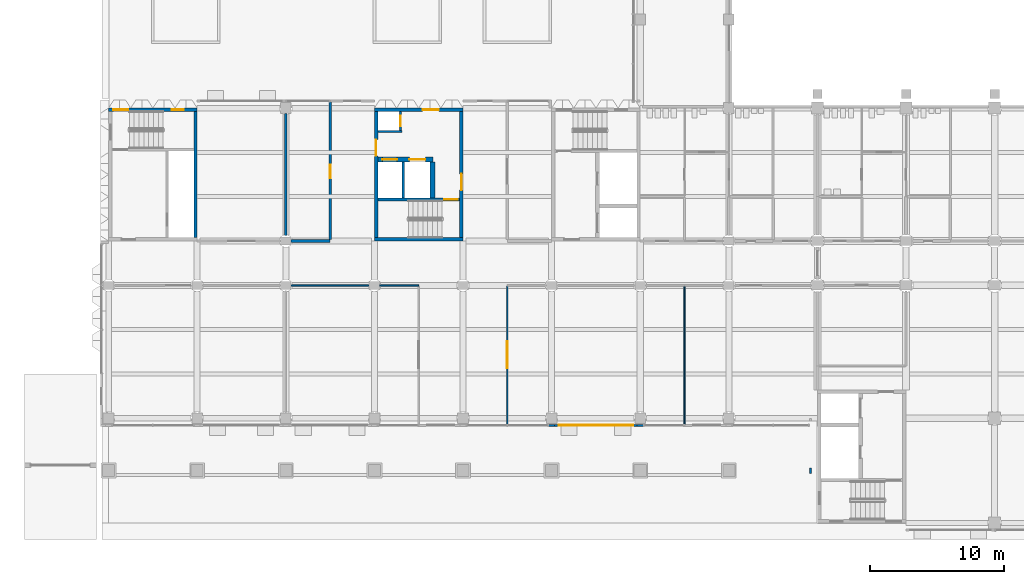
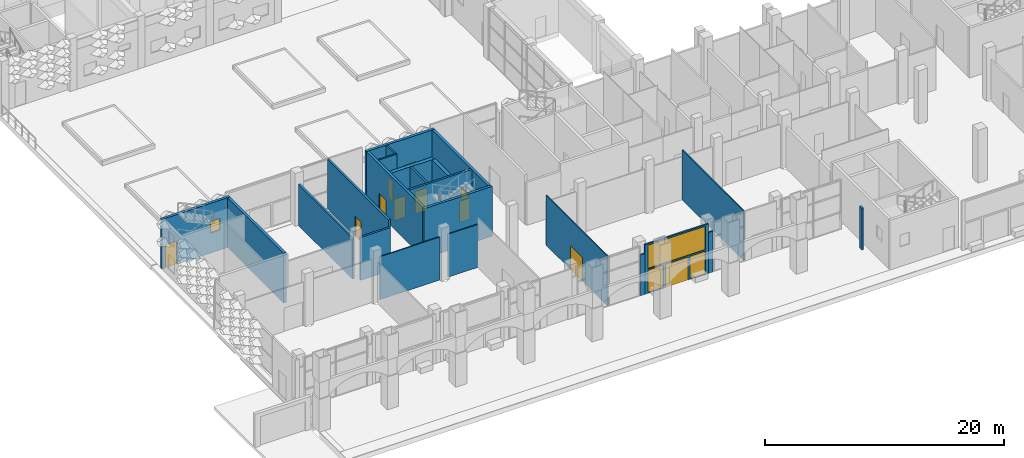
# One storey, part 27 of 85: 23 walls, 11 doors, 4 windows, 15 openings.
"""IFC4 building model written with IfcOpenShell, lengths in metres."""

from ifc_helpers import new_model, si_unit, direction, frame, frame_2d, origin, place, context, subcontext, project, spatial, rectangle, extrude, material, layer, layer_set, type_object, element, fill, save


model = new_model("IFC4")

# Units and contexts
model_context = context("Model", 3, precision=1e-05, world=origin(), true_north=direction((0.0, 1.0)))
body_context = subcontext(model_context, "Body", "Model", "MODEL_VIEW")
ifc_project = project(units=[si_unit("LENGTHUNIT", "METRE"), si_unit("AREAUNIT", "SQUARE_METRE"), si_unit("VOLUMEUNIT", "CUBIC_METRE"), si_unit("PLANEANGLEUNIT", "RADIAN"), si_unit("MASSUNIT", "GRAM", prefix="KILO")], contexts=[model_context])

# Site, building, storey
site_placement = place(None, origin())
site = spatial("IfcSite", under=ifc_project, at=site_placement, CompositionType="ELEMENT")
building_placement = place(site_placement, origin())
building = spatial("IfcBuilding", under=site, at=building_placement, Name="Lantern Court Research Institute", CompositionType="ELEMENT")
storey_placement = place(building_placement, origin())
storey = spatial("IfcBuildingStorey", under=building, at=storey_placement, Name="L00", CompositionType="ELEMENT", Elevation=0.0)

# Walls
ifc_material_1 = material(Name="Fire-rated gypsum board partition, mineral wool filled")
ifc_layer_1 = layer(ifc_material_1, 0.199951171875)
ifc_layer_set_1 = layer_set([ifc_layer_1], Name="Fire-rated gypsum board partition, mineral wool filled")
wall_type_1 = type_object("IfcWallType", Name="Compartment wall 200 EI 120", PredefinedType="PARTITIONING", material=ifc_layer_set_1)
wall_1_placement = place(storey_placement, frame((16.5, 13.199951171875, 0.0), z_axis=(0.0, 0.0, 1.0), x_axis=(-1.0, 0.0, 0.0)))
element("IfcWall", 1, at=wall_1_placement, inside=storey, type_object=wall_type_1, Name="Compartment wall 200 EI 120", PredefinedType="PARTITIONING", context=body_context, shape_type="SweptSolid", body=[
    extrude(rectangle(XDim=2.89990234375, YDim=0.199951171875, at=frame_2d((1.449951171875, 0.0))), origin(), (0.0, 0.0, 1.0), 4.39990234375),
])
wall_2_placement = place(storey_placement, frame((13.199951171875, 13.60009765625, 0.0), z_axis=(0.0, 0.0, 1.0), x_axis=(0.0, 1.0, 0.0)))
element("IfcWall", 2, at=wall_2_placement, inside=storey, type_object=wall_type_1, Name="Compartment wall 200 EI 120", PredefinedType="PARTITIONING", context=body_context, shape_type="SweptSolid", body=[
    extrude(rectangle(XDim=9.099853515625, YDim=0.199951171875, at=frame_2d((4.5498046875, 0.0))), origin(), (0.0, 0.0, 1.0), 4.199951171875),
])

# Wall, opening, door
wall_3_placement = place(storey_placement, frame((16.5, 23.550048828125, 0.0), z_axis=(0.0, 0.0, 1.0), x_axis=(0.0, -1.0, 0.0)))
wall_3 = element("IfcWall", 3, at=wall_3_placement, inside=storey, type_object=wall_type_1, Name="Compartment wall 200 EI 120", PredefinedType="PARTITIONING", context=body_context, shape_type="SweptSolid", body=[
    extrude(rectangle(XDim=10.25, YDim=0.199951171875, at=frame_2d((5.125, 0.0))), origin(), (0.0, 0.0, 1.0), 5.10009765625),
])
opening_1_placement = place(wall_3_placement, frame((4.675048828125, 0.0, 0.0)))
opening_1 = element("IfcOpeningElement", 4, at=opening_1_placement, cuts=wall_3, Name="Opening D4003", PredefinedType="OPENING", context=body_context, shape_type="SweptSolid", body=[
    extrude(rectangle(XDim=1.0, YDim=2.10009765625, at=frame_2d((0.5, 1.050048828125))), frame((0.0, 0.10986328125, 0.0), z_axis=(0.0, -1.0, 0.0), x_axis=(1.0, 0.0, 0.0)), (0.0, 0.0, 1.0), 0.219970703125),
])
ifc_material_2 = material(Name="Solid-core timber door leaf", Category="wood")
ifc_layer_2 = layer(ifc_material_2, 0.06005859375)
ifc_layer_set_2 = layer_set([ifc_layer_2], Name="Solid-core timber door leaf")
door_type_1 = type_object("IfcDoorType", Name="Chemical store door 1000 x 2100 single FD60", OperationType="NOTDEFINED", PredefinedType="DOOR", material=ifc_layer_set_2)
door_1_placement = place(opening_1_placement, origin())
door_1 = element("IfcDoor", 5, at=door_1_placement, inside=storey, type_object=door_type_1, Name="Door D4003", OperationType="SINGLE_SWING_RIGHT", OverallHeight=2.10009765625, OverallWidth=1.0, PredefinedType="DOOR", context=body_context, shape_type="SweptSolid", body=[
    extrude(rectangle(XDim=1.0, YDim=2.10009765625, at=frame_2d((0.5, 1.050048828125))), frame((0.0, 0.030029296875, 0.0), z_axis=(0.0, -1.0, 0.0), x_axis=(1.0, 0.0, 0.0)), (0.0, 0.0, 1.0), 0.06005859375),
])
fill(opening_1, door_1)

# Wall, openings, windows, door
ifc_material_3 = material(Name="Aluminium alloy 6063-T6", Category="aluminium")
ifc_layer_3 = layer(ifc_material_3, 0.14990234375)
ifc_layer_set_3 = layer_set([ifc_layer_3], Name="Aluminium alloy 6063-T6")
wall_type_2 = type_object("IfcWallType", Name="Entrance screen wall 150 aluminium", PredefinedType="STANDARD", material=ifc_layer_set_3)
wall_4_placement = place(storey_placement, frame((39.375, -0.52490234375, 0.0), z_axis=(0.0, 0.0, 1.0), x_axis=(-1.0, 0.0, 0.0)))
wall_4 = element("IfcWall", 6, at=wall_4_placement, inside=storey, type_object=wall_type_2, Name="Exterior wall EW034", PredefinedType="STANDARD", context=body_context, shape_type="SweptSolid", body=[
    extrude(rectangle(XDim=6.14990234375, YDim=0.14990234375, at=frame_2d((3.074951171875, 0.0))), origin(), (0.0, 0.0, 1.0), 5.10009765625),
])
opening_2_placement = place(wall_4_placement, frame((1.97509765625, 0.0, 0.0)))
opening_2 = element("IfcOpeningElement", 7, at=opening_2_placement, cuts=wall_4, Name="Opening D4087", PredefinedType="OPENING", context=body_context, shape_type="SweptSolid", body=[
    extrude(rectangle(XDim=2.199951171875, YDim=2.39990234375, at=frame_2d((1.10009765625, 1.199951171875))), frame((0.0, 0.0849609375, 0.0), z_axis=(0.0, -1.0, 0.0), x_axis=(1.0, 0.0, 0.0)), (0.0, 0.0, 1.0), 0.169921875),
])
opening_3_placement = place(wall_4_placement, frame((4.375, 0.0, 0.10009765625)))
opening_3 = element("IfcOpeningElement", 8, at=opening_3_placement, cuts=wall_4, Name="Opening W10", PredefinedType="OPENING", context=body_context, shape_type="SweptSolid", body=[
    extrude(rectangle(XDim=1.47509765625, YDim=2.300048828125, at=frame_2d((0.737548828125, 1.14990234375))), frame((0.0, 0.0849609375, 0.0), z_axis=(0.0, -1.0, 0.0), x_axis=(1.0, 0.0, 0.0)), (0.0, 0.0, 1.0), 0.169921875),
])
opening_4_placement = place(wall_4_placement, frame((0.300048828125, 0.0, 0.10009765625)))
opening_4 = element("IfcOpeningElement", 9, at=opening_4_placement, cuts=wall_4, Name="Opening W10", PredefinedType="OPENING", context=body_context, shape_type="SweptSolid", body=[
    extrude(rectangle(XDim=1.47509765625, YDim=2.300048828125, at=frame_2d((0.737548828125, 1.14990234375))), frame((0.0, 0.0849609375, 0.0), z_axis=(0.0, -1.0, 0.0), x_axis=(1.0, 0.0, 0.0)), (0.0, 0.0, 1.0), 0.169921875),
])
opening_5_placement = place(wall_4_placement, frame((0.300048828125, 0.0, 2.550048828125)))
opening_5 = element("IfcOpeningElement", 10, at=opening_5_placement, cuts=wall_4, Name="Opening W09", PredefinedType="OPENING", context=body_context, shape_type="SweptSolid", body=[
    extrude(rectangle(XDim=5.550048828125, YDim=2.39990234375, at=frame_2d((2.77490234375, 1.199951171875))), frame((0.0, 0.0849609375, 0.0), z_axis=(0.0, -1.0, 0.0), x_axis=(1.0, 0.0, 0.0)), (0.0, 0.0, 1.0), 0.169921875),
])
ifc_material_4 = material(Name="Aluminium frame with laminated low-emissivity glazing", Category="aluminium")
window_type_1 = type_object("IfcWindowType", Name="Entrance clerestory 5550 x 2400", PartitioningType="SINGLE_PANEL", PredefinedType="WINDOW", material=ifc_material_4)
window_1_placement = place(opening_5_placement, origin())
window_1 = element("IfcWindow", 11, at=window_1_placement, inside=storey, type_object=window_type_1, Name="Window W09 V4S L00", OverallHeight=2.39990234375, OverallWidth=5.550048828125, PartitioningType="SINGLE_PANEL", PredefinedType="WINDOW", context=body_context, shape_type="SweptSolid", body=[
    extrude(rectangle(XDim=5.550048828125, YDim=2.39990234375, at=frame_2d((2.77490234375, 1.199951171875))), frame((0.0, 0.030029296875, 0.0), z_axis=(0.0, -1.0, 0.0), x_axis=(1.0, 0.0, 0.0)), (0.0, 0.0, 1.0), 0.06005859375),
])
fill(opening_5, window_1)
ifc_material_5 = material(Name="Aluminium frame with laminated glass", Category="aluminium")
door_type_2 = type_object("IfcDoorType", Name="Entrance door pair 2200 x 2400 aluminium glazed", OperationType="NOTDEFINED", PredefinedType="DOOR", material=ifc_material_5)
door_2_placement = place(opening_2_placement, origin())
door_2 = element("IfcDoor", 12, at=door_2_placement, inside=storey, type_object=door_type_2, Name="Exterior door D4087", OperationType="DOUBLE_DOOR_SINGLE_SWING", OverallHeight=2.39990234375, OverallWidth=2.199951171875, PredefinedType="DOOR", context=body_context, shape_type="SweptSolid", body=[
    extrude(rectangle(XDim=2.199951171875, YDim=2.39990234375, at=frame_2d((1.10009765625, 1.199951171875))), frame((0.0, 0.02490234375, 0.0), z_axis=(0.0, -1.0, 0.0), x_axis=(1.0, 0.0, 0.0)), (0.0, 0.0, 1.0), 0.050048828125),
])
fill(opening_2, door_2)
ifc_material_6 = material(Name="Aluminium frame with laminated low-emissivity glazing", Category="aluminium")
window_type_2 = type_object("IfcWindowType", Name="Entrance sidelight 1475 x 2300", PartitioningType="SINGLE_PANEL", PredefinedType="WINDOW", material=ifc_material_6)
window_2_placement = place(opening_3_placement, origin())
window_2 = element("IfcWindow", 13, at=window_2_placement, inside=storey, type_object=window_type_2, Name="Window W10 V4S L00", OverallHeight=2.300048828125, OverallWidth=1.47509765625, PartitioningType="SINGLE_PANEL", PredefinedType="WINDOW", context=body_context, shape_type="SweptSolid", body=[
    extrude(rectangle(XDim=1.47509765625, YDim=2.300048828125, at=frame_2d((0.737548828125, 1.14990234375))), frame((0.0, 0.030029296875, 0.0), z_axis=(0.0, -1.0, 0.0), x_axis=(1.0, 0.0, 0.0)), (0.0, 0.0, 1.0), 0.06005859375),
])
fill(opening_3, window_2)
window_3_placement = place(opening_4_placement, origin())
window_3 = element("IfcWindow", 14, at=window_3_placement, inside=storey, type_object=window_type_2, Name="Window W10 V4S L00", OverallHeight=2.300048828125, OverallWidth=1.47509765625, PartitioningType="SINGLE_PANEL", PredefinedType="WINDOW", context=body_context, shape_type="SweptSolid", body=[
    extrude(rectangle(XDim=1.47509765625, YDim=2.300048828125, at=frame_2d((0.737548828125, 1.14990234375))), frame((0.0, 0.030029296875, 0.0), z_axis=(0.0, -1.0, 0.0), x_axis=(1.0, 0.0, 0.0)), (0.0, 0.0, 1.0), 0.06005859375),
])
fill(opening_4, window_3)

# Walls
wall_5_placement = place(storey_placement, frame((33.22509765625, -0.52490234375, 0.0), z_axis=(0.0, 0.0, 1.0), x_axis=(-1.0, 0.0, 0.0)))
element("IfcWall", 15, at=wall_5_placement, inside=storey, type_object=wall_type_2, Name="Exterior wall EW041", PredefinedType="STANDARD", context=body_context, shape_type="SweptSolid", body=[
    extrude(rectangle(XDim=0.4501953125, YDim=0.14990234375, at=frame_2d((0.22509765625, 0.0))), origin(), (0.0, 0.0, 1.0), 4.199951171875),
])
wall_6_placement = place(storey_placement, frame((39.824951171875, -0.52490234375, 0.0), z_axis=(0.0, 0.0, 1.0), x_axis=(-1.0, 0.0, 0.0)))
element("IfcWall", 16, at=wall_6_placement, inside=storey, type_object=wall_type_2, Name="Exterior wall EW042", PredefinedType="STANDARD", context=body_context, shape_type="SweptSolid", body=[
    extrude(rectangle(XDim=0.449951171875, YDim=0.14990234375, at=frame_2d((0.22509765625, 0.0))), origin(), (0.0, 0.0, 1.0), 4.199951171875),
])
wall_7_placement = place(storey_placement, frame((52.27490234375, -4.10009765625, 0.0), z_axis=(0.0, 0.0, 1.0), x_axis=(0.0, 1.0, 0.0)))
element("IfcWall", 17, at=wall_7_placement, inside=storey, type_object=wall_type_2, Name="Exterior wall EW047", PredefinedType="STANDARD", context=body_context, shape_type="SweptSolid", body=[
    extrude(rectangle(XDim=0.400146484375, YDim=0.14990234375, at=frame_2d((0.2001953125, 0.0))), origin(), (0.0, 0.0, 1.0), 4.300048828125),
])
ifc_material_7 = material(Name="Gypsum board partition, mineral wool filled")
ifc_layer_4 = layer(ifc_material_7, 0.10009765625)
ifc_layer_set_4 = layer_set([ifc_layer_4], Name="Gypsum board partition, mineral wool filled")
wall_type_3 = type_object("IfcWallType", Name="Partition 100", PredefinedType="PARTITIONING", material=ifc_layer_set_4)
wall_8_placement = place(storey_placement, frame((13.60009765625, 9.89990234375, 0.0), z_axis=(0.0, 0.0, 1.0), x_axis=(1.0, 0.0, 0.0)))
element("IfcWall", 18, at=wall_8_placement, inside=storey, type_object=wall_type_3, Name="Partition 100", PredefinedType="PARTITIONING", context=body_context, shape_type="SweptSolid", body=[
    extrude(rectangle(XDim=5.7998046875, YDim=0.10009765625, at=frame_2d((2.89990234375, 0.0))), origin(), (0.0, 0.0, 1.0), 4.39990234375),
])
wall_9_placement = place(storey_placement, frame((20.199951171875, 9.89990234375, 0.0), z_axis=(0.0, 0.0, 1.0), x_axis=(1.0, 0.0, 0.0)))
element("IfcWall", 19, at=wall_9_placement, inside=storey, type_object=wall_type_3, Name="Partition 100", PredefinedType="PARTITIONING", context=body_context, shape_type="SweptSolid", body=[
    extrude(rectangle(XDim=2.900146484375, YDim=0.10009765625, at=frame_2d((1.4501953125, 0.0))), origin(), (0.0, 0.0, 1.0), 4.39990234375),
])

# Wall, opening, door
wall_10_placement = place(storey_placement, frame((29.699951171875, -0.449951171875, 0.0), z_axis=(0.0, 0.0, 1.0), x_axis=(0.0, 1.0, 0.0)))
wall_10 = element("IfcWall", 20, at=wall_10_placement, inside=storey, type_object=wall_type_3, Name="Partition 100", PredefinedType="PARTITIONING", context=body_context, shape_type="SweptSolid", body=[
    extrude(rectangle(XDim=10.300048828125, YDim=0.10009765625, at=frame_2d((5.14990234375, 0.0))), origin(), (0.0, 0.0, 1.0), 5.10009765625),
])
opening_6_placement = place(wall_10_placement, frame((4.175048828125, 0.0, 0.0)))
opening_6 = element("IfcOpeningElement", 21, at=opening_6_placement, cuts=wall_10, Name="Opening D4014", PredefinedType="OPENING", context=body_context, shape_type="SweptSolid", body=[
    extrude(rectangle(XDim=2.0, YDim=2.39990234375, at=frame_2d((1.0, 1.199951171875))), frame((0.0, 0.06005859375, 0.0), z_axis=(0.0, -1.0, 0.0), x_axis=(1.0, 0.0, 0.0)), (0.0, 0.0, 1.0), 0.1201171875),
])
ifc_material_8 = material(Name="Aluminium alloy 6063-T6", Category="aluminium")
ifc_layer_5 = layer(ifc_material_8, 0.050048828125)
ifc_layer_set_5 = layer_set([ifc_layer_5], Name="Aluminium alloy 6063-T6")
door_type_3 = type_object("IfcDoorType", Name="Gallery glazed door 2000 x 2400 pair NOT RATED", OperationType="DOUBLE_DOOR_SINGLE_SWING", PredefinedType="DOOR", material=ifc_layer_set_5)
door_3_placement = place(opening_6_placement, origin())
door_3 = element("IfcDoor", 22, at=door_3_placement, inside=storey, type_object=door_type_3, Name="Door D4014", OperationType="DOUBLE_DOOR_SINGLE_SWING", OverallHeight=2.39990234375, OverallWidth=2.0, PredefinedType="DOOR", context=body_context, shape_type="SweptSolid", body=[
    extrude(rectangle(XDim=2.0, YDim=2.39990234375, at=frame_2d((1.0, 1.199951171875))), frame((0.0, 0.02490234375, 0.0), z_axis=(0.0, -1.0, 0.0), x_axis=(1.0, 0.0, 0.0)), (0.0, 0.0, 1.0), 0.050048828125),
])
fill(opening_6, door_3)

# Walls
wall_11_placement = place(storey_placement, frame((42.89990234375, -0.449951171875, 0.0), z_axis=(0.0, 0.0, 1.0), x_axis=(0.0, 1.0, 0.0)))
element("IfcWall", 23, at=wall_11_placement, inside=storey, type_object=wall_type_3, Name="Partition 100", PredefinedType="PARTITIONING", context=body_context, shape_type="SweptSolid", body=[
    extrude(rectangle(XDim=10.300048828125, YDim=0.10009765625, at=frame_2d((5.14990234375, 0.0))), origin(), (0.0, 0.0, 1.0), 5.10009765625),
])
ifc_material_9 = material(Name="Concrete C40/50", Category="concrete")
ifc_layer_6 = layer(ifc_material_9, 0.25)
ifc_layer_set_6 = layer_set([ifc_layer_6], Name="Concrete C40/50")
wall_type_4 = type_object("IfcWallType", Name="RC core wall 250", PredefinedType="SHEAR", material=ifc_layer_set_6)
wall_12_placement = place(storey_placement, frame((6.47509765625, 13.449951171875, 0.0), z_axis=(0.0, 0.0, 1.0), x_axis=(0.0, 1.0, 0.0)))
element("IfcWall", 24, at=wall_12_placement, inside=storey, type_object=wall_type_4, Name="East wall of core BC-W", PredefinedType="SHEAR", context=body_context, shape_type="SweptSolid", body=[
    extrude(rectangle(XDim=9.400146484375, YDim=0.25, at=frame_2d((4.7001953125, 0.0))), origin(), (0.0, 0.0, 1.0), 5.10009765625),
])
wall_13_placement = place(storey_placement, frame((19.800048828125, 13.324951171875, 0.0), z_axis=(0.0, 0.0, 1.0), x_axis=(1.0, 0.0, 0.0)))
element("IfcWall", 25, at=wall_13_placement, inside=storey, type_object=wall_type_4, Name="South wall of core BC-M", PredefinedType="SHEAR", context=body_context, shape_type="SweptSolid", body=[
    extrude(rectangle(XDim=6.599853515625, YDim=0.25, at=frame_2d((3.2998046875, 0.0))), origin(), (0.0, 0.0, 1.0), 5.10009765625),
])

# Wall, opening, door
wall_14_placement = place(storey_placement, frame((19.925048828125, 13.449951171875, 0.0), z_axis=(0.0, 0.0, 1.0), x_axis=(0.0, 1.0, 0.0)))
wall_14 = element("IfcWall", 26, at=wall_14_placement, inside=storey, type_object=wall_type_4, Name="West wall of core BC-M", PredefinedType="SHEAR", context=body_context, shape_type="SweptSolid", body=[
    extrude(rectangle(XDim=9.400146484375, YDim=0.25, at=frame_2d((4.7001953125, 0.0))), origin(), (0.0, 0.0, 1.0), 5.10009765625),
])
opening_7_placement = place(wall_14_placement, frame((6.10009765625, 0.0, 0.0)))
opening_7 = element("IfcOpeningElement", 27, at=opening_7_placement, cuts=wall_14, Name="Opening D7030", PredefinedType="OPENING", context=body_context, shape_type="SweptSolid", body=[
    extrude(rectangle(XDim=1.199951171875, YDim=2.10009765625, at=frame_2d((0.60009765625, 1.050048828125))), frame((0.0, 0.135009765625, 0.0), z_axis=(0.0, -1.0, 0.0), x_axis=(1.0, 0.0, 0.0)), (0.0, 0.0, 1.0), 0.27001953125),
])
ifc_material_10 = material(Name="Steel fire door leaf with smoke seals", Category="steel")
door_type_4 = type_object("IfcDoorType", Name="Door 1200 x 2100 fire rated FD60S", OperationType="NOTDEFINED", PredefinedType="DOOR", material=ifc_material_10)
door_4_placement = place(opening_7_placement, origin())
door_4 = element("IfcDoor", 28, at=door_4_placement, inside=storey, type_object=door_type_4, Name="Lobby door", OperationType="SINGLE_SWING_LEFT", OverallHeight=2.10009765625, OverallWidth=1.199951171875, PredefinedType="DOOR", context=body_context, shape_type="SweptSolid", body=[
    extrude(rectangle(XDim=1.199951171875, YDim=2.10009765625, at=frame_2d((0.60009765625, 1.050048828125))), frame((0.0, 0.02490234375, 0.0), z_axis=(0.0, -1.0, 0.0), x_axis=(1.0, 0.0, 0.0)), (0.0, 0.0, 1.0), 0.050048828125),
])
fill(opening_7, door_4)

wall_15_placement = place(storey_placement, frame((26.27490234375, 13.449951171875, 0.0), z_axis=(0.0, 0.0, 1.0), x_axis=(0.0, 1.0, 0.0)))
wall_15 = element("IfcWall", 29, at=wall_15_placement, inside=storey, type_object=wall_type_4, Name="East wall of core BC-M", PredefinedType="SHEAR", context=body_context, shape_type="SweptSolid", body=[
    extrude(rectangle(XDim=9.400146484375, YDim=0.25, at=frame_2d((4.7001953125, 0.0))), origin(), (0.0, 0.0, 1.0), 5.10009765625),
])
opening_8_placement = place(wall_15_placement, frame((3.550048828125, 0.0, 0.0)))
opening_8 = element("IfcOpeningElement", 30, at=opening_8_placement, cuts=wall_15, Name="Opening D7029", PredefinedType="OPENING", context=body_context, shape_type="SweptSolid", body=[
    extrude(rectangle(XDim=1.199951171875, YDim=2.10009765625, at=frame_2d((0.60009765625, 1.050048828125))), frame((0.0, 0.135009765625, 0.0), z_axis=(0.0, -1.0, 0.0), x_axis=(1.0, 0.0, 0.0)), (0.0, 0.0, 1.0), 0.27001953125),
])
door_5_placement = place(opening_8_placement, origin())
door_5 = element("IfcDoor", 31, at=door_5_placement, inside=storey, type_object=door_type_4, Name="Lobby door", OperationType="SINGLE_SWING_RIGHT", OverallHeight=2.10009765625, OverallWidth=1.199951171875, PredefinedType="DOOR", context=body_context, shape_type="SweptSolid", body=[
    extrude(rectangle(XDim=1.199951171875, YDim=2.10009765625, at=frame_2d((0.60009765625, 1.050048828125))), frame((0.0, 0.02490234375, 0.0), z_axis=(0.0, -1.0, 0.0), x_axis=(1.0, 0.0, 0.0)), (0.0, 0.0, 1.0), 0.050048828125),
])
fill(opening_8, door_5)

# Wall, openings, door, window
ifc_material_11 = material(Name="Concrete C40/50", Category="concrete")
ifc_layer_7 = layer(ifc_material_11, 0.25)
ifc_layer_set_7 = layer_set([ifc_layer_7], Name="Concrete C40/50")
wall_type_5 = type_object("IfcWallType", Name="RC core wall 250 facade", PredefinedType="SHEAR", material=ifc_layer_set_7)
wall_16_placement = place(storey_placement, frame((0.0, 22.97509765625, 0.0), z_axis=(0.0, 0.0, 1.0), x_axis=(1.0, 0.0, 0.0)))
wall_16 = element("IfcWall", 32, at=wall_16_placement, inside=storey, type_object=wall_type_5, Name="North wall of core BC-W", PredefinedType="SHEAR", context=body_context, shape_type="SweptSolid", body=[
    extrude(rectangle(XDim=6.60009765625, YDim=0.25, at=frame_2d((3.300048828125, 0.0))), origin(), (0.0, 0.0, 1.0), 5.10009765625),
])
opening_9_placement = place(wall_16_placement, frame((0.35009765625, 0.0, 0.0)))
opening_9 = element("IfcOpeningElement", 33, at=opening_9_placement, cuts=wall_16, Name="Opening D7007", PredefinedType="OPENING", context=body_context, shape_type="SweptSolid", body=[
    extrude(rectangle(XDim=1.10009765625, YDim=2.39990234375, at=frame_2d((0.550048828125, 1.199951171875))), frame((0.0, 0.135009765625, 0.0), z_axis=(0.0, -1.0, 0.0), x_axis=(1.0, 0.0, 0.0)), (0.0, 0.0, 1.0), 0.27001953125),
])
opening_10_placement = place(wall_16_placement, frame((4.7099609375, 0.0, 2.050048828125)))
opening_10 = element("IfcOpeningElement", 34, at=opening_10_placement, cuts=wall_16, Name="Opening W6", PredefinedType="OPENING", context=body_context, shape_type="SweptSolid", body=[
    extrude(rectangle(XDim=0.89990234375, YDim=1.199951171875, at=frame_2d((0.449951171875, 0.60009765625))), frame((0.0, 0.135009765625, 0.0), z_axis=(0.0, -1.0, 0.0), x_axis=(1.0, 0.0, 0.0)), (0.0, 0.0, 1.0), 0.27001953125),
])
ifc_material_12 = material(Name="Steel fire door leaf with smoke seals", Category="steel")
door_type_5 = type_object("IfcDoorType", Name="Door 1100 x 2400 fire rated FD60S", OperationType="NOTDEFINED", PredefinedType="DOOR", material=ifc_material_12)
door_6_placement = place(opening_9_placement, origin())
door_6 = element("IfcDoor", 35, at=door_6_placement, inside=storey, type_object=door_type_5, Name="Stair exit door", OperationType="SINGLE_SWING_RIGHT", OverallHeight=2.39990234375, OverallWidth=1.10009765625, PredefinedType="DOOR", context=body_context, shape_type="SweptSolid", body=[
    extrude(rectangle(XDim=1.10009765625, YDim=2.39990234375, at=frame_2d((0.550048828125, 1.199951171875))), frame((0.0, 0.02490234375, 0.0), z_axis=(0.0, -1.0, 0.0), x_axis=(1.0, 0.0, 0.0)), (0.0, 0.0, 1.0), 0.050048828125),
])
fill(opening_9, door_6)
ifc_material_13 = material(Name="Aluminium alloy 6063-T6 frame with laminated glass", Category="aluminium")
window_type_3 = type_object("IfcWindowType", Name="Stair window 900 x 1200", PartitioningType="SINGLE_PANEL", PredefinedType="WINDOW", material=ifc_material_13)
window_4_placement = place(opening_10_placement, origin())
window_4 = element("IfcWindow", 36, at=window_4_placement, inside=storey, type_object=window_type_3, Name="Stair window", OverallHeight=1.199951171875, OverallWidth=0.89990234375, PartitioningType="SINGLE_PANEL", PredefinedType="WINDOW", context=body_context, shape_type="SweptSolid", body=[
    extrude(rectangle(XDim=0.89990234375, YDim=1.199951171875, at=frame_2d((0.449951171875, 0.60009765625))), frame((0.0, 0.030029296875, 0.0), z_axis=(0.0, -1.0, 0.0), x_axis=(1.0, 0.0, 0.0)), (0.0, 0.0, 1.0), 0.06005859375),
])
fill(opening_10, window_4)

# Wall, opening, door
wall_17_placement = place(storey_placement, frame((19.800048828125, 22.97509765625, 0.0), z_axis=(0.0, 0.0, 1.0), x_axis=(1.0, 0.0, 0.0)))
wall_17 = element("IfcWall", 37, at=wall_17_placement, inside=storey, type_object=wall_type_5, Name="North wall of core BC-M", PredefinedType="SHEAR", context=body_context, shape_type="SweptSolid", body=[
    extrude(rectangle(XDim=6.599853515625, YDim=0.25, at=frame_2d((3.2998046875, 0.0))), origin(), (0.0, 0.0, 1.0), 5.10009765625),
])
opening_11_placement = place(wall_17_placement, frame((3.60009765625, 0.0, 0.0)))
opening_11 = element("IfcOpeningElement", 38, at=opening_11_placement, cuts=wall_17, Name="Opening D7031", PredefinedType="OPENING", context=body_context, shape_type="SweptSolid", body=[
    extrude(rectangle(XDim=1.199951171875, YDim=2.39990234375, at=frame_2d((0.60009765625, 1.199951171875))), frame((0.0, 0.135009765625, 0.0), z_axis=(0.0, -1.0, 0.0), x_axis=(1.0, 0.0, 0.0)), (0.0, 0.0, 1.0), 0.27001953125),
])
ifc_material_14 = material(Name="Steel fire door leaf with smoke seals", Category="steel")
door_type_6 = type_object("IfcDoorType", Name="Door 1200 x 2400 fire rated FD60S", OperationType="NOTDEFINED", PredefinedType="DOOR", material=ifc_material_14)
door_7_placement = place(opening_11_placement, origin())
door_7 = element("IfcDoor", 39, at=door_7_placement, inside=storey, type_object=door_type_6, Name="Lobby exit door", OperationType="SINGLE_SWING_RIGHT", OverallHeight=2.39990234375, OverallWidth=1.199951171875, PredefinedType="DOOR", context=body_context, shape_type="SweptSolid", body=[
    extrude(rectangle(XDim=1.199951171875, YDim=2.39990234375, at=frame_2d((0.60009765625, 1.199951171875))), frame((0.0, 0.02490234375, 0.0), z_axis=(0.0, -1.0, 0.0), x_axis=(1.0, 0.0, 0.0)), (0.0, 0.0, 1.0), 0.050048828125),
])
fill(opening_11, door_7)

# Wall
ifc_material_15 = material(Name="Concrete C40/50", Category="concrete")
ifc_layer_8 = layer(ifc_material_15, 0.14990234375)
ifc_layer_set_8 = layer_set([ifc_layer_8], Name="Concrete C40/50")
wall_type_6 = type_object("IfcWallType", Name="RC shaft wall 150", PredefinedType="SHEAR", material=ifc_layer_set_8)
wall_18_placement = place(storey_placement, frame((20.050048828125, 21.35009765625, 0.0), z_axis=(0.0, 0.0, 1.0), x_axis=(1.0, 0.0, 0.0)))
element("IfcWall", 40, at=wall_18_placement, inside=storey, type_object=wall_type_6, Name="Riser wall of core BC-M", PredefinedType="SHEAR", context=body_context, shape_type="SweptSolid", body=[
    extrude(rectangle(XDim=1.800048828125, YDim=0.14990234375, at=frame_2d((0.89990234375, 0.0))), origin(), (0.0, 0.0, 1.0), 5.10009765625),
])

# Wall, opening, door
wall_19_placement = place(storey_placement, frame((21.75, 21.449951171875, 0.0), z_axis=(0.0, 0.0, 1.0), x_axis=(0.0, 1.0, 0.0)))
wall_19 = element("IfcWall", 41, at=wall_19_placement, inside=storey, type_object=wall_type_6, Name="Riser wall of core BC-M", PredefinedType="SHEAR", context=body_context, shape_type="SweptSolid", body=[
    extrude(rectangle(XDim=1.400146484375, YDim=0.14990234375, at=frame_2d((0.7001953125, 0.0))), origin(), (0.0, 0.0, 1.0), 5.10009765625),
])
opening_12_placement = place(wall_19_placement, frame((0.300048828125, 0.0, 0.0)))
opening_12 = element("IfcOpeningElement", 42, at=opening_12_placement, cuts=wall_19, Name="Opening D7033", PredefinedType="OPENING", context=body_context, shape_type="SweptSolid", body=[
    extrude(rectangle(XDim=0.800048828125, YDim=2.0, at=frame_2d((0.39990234375, 1.0))), frame((0.0, 0.0849609375, 0.0), z_axis=(0.0, -1.0, 0.0), x_axis=(1.0, 0.0, 0.0)), (0.0, 0.0, 1.0), 0.169921875),
])
ifc_material_16 = material(Name="Steel fire door leaf", Category="steel")
door_type_7 = type_object("IfcDoorType", Name="Door 800 x 2000 fire rated FD60", OperationType="NOTDEFINED", PredefinedType="DOOR", material=ifc_material_16)
door_8_placement = place(opening_12_placement, origin())
door_8 = element("IfcDoor", 43, at=door_8_placement, inside=storey, type_object=door_type_7, Name="Riser door", OperationType="SINGLE_SWING_LEFT", OverallHeight=2.0, OverallWidth=0.800048828125, PredefinedType="DOOR", context=body_context, shape_type="SweptSolid", body=[
    extrude(rectangle(XDim=0.800048828125, YDim=2.0, at=frame_2d((0.39990234375, 1.0))), frame((0.0, 0.02490234375, 0.0), z_axis=(0.0, -1.0, 0.0), x_axis=(1.0, 0.0, 0.0)), (0.0, 0.0, 1.0), 0.050048828125),
])
fill(opening_12, door_8)

ifc_material_17 = material(Name="Concrete C40/50", Category="concrete")
ifc_layer_9 = layer(ifc_material_17, 0.199951171875)
ifc_layer_set_9 = layer_set([ifc_layer_9], Name="Concrete C40/50")
wall_type_7 = type_object("IfcWallType", Name="RC shaft wall 200", PredefinedType="SHEAR", material=ifc_layer_set_9)
wall_20_placement = place(storey_placement, frame((20.050048828125, 16.300048828125, 0.0), z_axis=(0.0, 0.0, 1.0), x_axis=(1.0, 0.0, 0.0)))
wall_20 = element("IfcWall", 44, at=wall_20_placement, inside=storey, type_object=wall_type_7, Name="Stair wall of core BC-M", PredefinedType="SHEAR", context=body_context, shape_type="SweptSolid", body=[
    extrude(rectangle(XDim=6.099853515625, YDim=0.199951171875, at=frame_2d((3.0498046875, 0.0))), origin(), (0.0, 0.0, 1.0), 5.10009765625),
])
opening_13_placement = place(wall_20_placement, frame((4.949951171875, 0.0, 0.0)))
opening_13 = element("IfcOpeningElement", 45, at=opening_13_placement, cuts=wall_20, Name="Opening D7032", PredefinedType="OPENING", context=body_context, shape_type="SweptSolid", body=[
    extrude(rectangle(XDim=1.0, YDim=2.199951171875, at=frame_2d((0.5, 1.10009765625))), frame((0.0, 0.10986328125, 0.0), z_axis=(0.0, -1.0, 0.0), x_axis=(1.0, 0.0, 0.0)), (0.0, 0.0, 1.0), 0.219970703125),
])
ifc_material_18 = material(Name="Steel fire door leaf with smoke seals", Category="steel")
door_type_8 = type_object("IfcDoorType", Name="Door 1000 x 2200 fire rated FD60S", OperationType="NOTDEFINED", PredefinedType="DOOR", material=ifc_material_18)
door_9_placement = place(opening_13_placement, origin())
door_9 = element("IfcDoor", 46, at=door_9_placement, inside=storey, type_object=door_type_8, Name="Stair door", OperationType="SINGLE_SWING_RIGHT", OverallHeight=2.199951171875, OverallWidth=1.0, PredefinedType="DOOR", context=body_context, shape_type="SweptSolid", body=[
    extrude(rectangle(XDim=1.0, YDim=2.199951171875, at=frame_2d((0.5, 1.10009765625))), frame((0.0, 0.02490234375, 0.0), z_axis=(0.0, -1.0, 0.0), x_axis=(1.0, 0.0, 0.0)), (0.0, 0.0, 1.0), 0.050048828125),
])
fill(opening_13, door_9)

# Wall
wall_21_placement = place(storey_placement, frame((21.949951171875, 16.39990234375, 0.0), z_axis=(0.0, 0.0, 1.0), x_axis=(0.0, 1.0, 0.0)))
element("IfcWall", 47, at=wall_21_placement, inside=storey, type_object=wall_type_7, Name="Lift shaft wall of core BC-M", PredefinedType="SHEAR", context=body_context, shape_type="SweptSolid", body=[
    extrude(rectangle(XDim=2.7001953125, YDim=0.199951171875, at=frame_2d((1.35009765625, 0.0))), origin(), (0.0, 0.0, 1.0), 5.10009765625),
])

# Wall, openings, doors
ifc_material_19 = material(Name="Concrete C40/50", Category="concrete")
ifc_layer_10 = layer(ifc_material_19, 0.35009765625)
ifc_layer_set_10 = layer_set([ifc_layer_10], Name="Concrete C40/50")
wall_type_8 = type_object("IfcWallType", Name="RC shaft wall 350", PredefinedType="SHEAR", material=ifc_layer_set_10)
wall_22_placement = place(storey_placement, frame((20.050048828125, 19.27490234375, 0.0), z_axis=(0.0, 0.0, 1.0), x_axis=(1.0, 0.0, 0.0)))
wall_22 = element("IfcWall", 48, at=wall_22_placement, inside=storey, type_object=wall_type_8, Name="Lift shaft wall of core BC-M", PredefinedType="SHEAR", context=body_context, shape_type="SweptSolid", body=[
    extrude(rectangle(XDim=4.099853515625, YDim=0.35009765625, at=frame_2d((2.0498046875, 0.0))), origin(), (0.0, 0.0, 1.0), 5.10009765625),
])
opening_14_placement = place(wall_22_placement, frame((0.35009765625, 0.0, 0.0)))
opening_14 = element("IfcOpeningElement", 49, at=opening_14_placement, cuts=wall_22, Name="Opening D7034", PredefinedType="OPENING", context=body_context, shape_type="SweptSolid", body=[
    extrude(rectangle(XDim=1.10009765625, YDim=2.199951171875, at=frame_2d((0.550048828125, 1.10009765625))), frame((0.0, 0.18505859375, 0.0), z_axis=(0.0, -1.0, 0.0), x_axis=(1.0, 0.0, 0.0)), (0.0, 0.0, 1.0), 0.3701171875),
])
opening_15_placement = place(wall_22_placement, frame((2.35009765625, 0.0, 0.0)))
opening_15 = element("IfcOpeningElement", 50, at=opening_15_placement, cuts=wall_22, Name="Opening D7035", PredefinedType="OPENING", context=body_context, shape_type="SweptSolid", body=[
    extrude(rectangle(XDim=1.199951171875, YDim=2.300048828125, at=frame_2d((0.60009765625, 1.14990234375))), frame((0.0, 0.18505859375, 0.0), z_axis=(0.0, -1.0, 0.0), x_axis=(1.0, 0.0, 0.0)), (0.0, 0.0, 1.0), 0.3701171875),
])
ifc_material_20 = material(Name="Stainless steel landing door panels", Category="steel")
door_type_9 = type_object("IfcDoorType", Name="Lift landing door 1100 x 2200 sliding FD60", OperationType="DOUBLE_DOOR_SLIDING", PredefinedType="NOTDEFINED", material=ifc_material_20)
door_10_placement = place(opening_14_placement, origin())
door_10 = element("IfcDoor", 51, at=door_10_placement, inside=storey, type_object=door_type_9, Name="Landing door", OperationType="DOUBLE_DOOR_SLIDING", OverallHeight=2.199951171875, OverallWidth=1.10009765625, PredefinedType="NOTDEFINED", context=body_context, shape_type="SweptSolid", body=[
    extrude(rectangle(XDim=1.10009765625, YDim=2.199951171875, at=frame_2d((0.550048828125, 1.10009765625))), frame((0.0, 0.02490234375, 0.0), z_axis=(0.0, -1.0, 0.0), x_axis=(1.0, 0.0, 0.0)), (0.0, 0.0, 1.0), 0.050048828125),
])
fill(opening_14, door_10)
ifc_material_21 = material(Name="Stainless steel landing door panels", Category="steel")
door_type_10 = type_object("IfcDoorType", Name="Lift landing door 1200 x 2300 sliding FD60", OperationType="DOUBLE_DOOR_SLIDING", PredefinedType="NOTDEFINED", material=ifc_material_21)
door_11_placement = place(opening_15_placement, origin())
door_11 = element("IfcDoor", 52, at=door_11_placement, inside=storey, type_object=door_type_10, Name="Landing door", OperationType="DOUBLE_DOOR_SLIDING", OverallHeight=2.300048828125, OverallWidth=1.199951171875, PredefinedType="NOTDEFINED", context=body_context, shape_type="SweptSolid", body=[
    extrude(rectangle(XDim=1.199951171875, YDim=2.300048828125, at=frame_2d((0.60009765625, 1.14990234375))), frame((0.0, 0.02490234375, 0.0), z_axis=(0.0, -1.0, 0.0), x_axis=(1.0, 0.0, 0.0)), (0.0, 0.0, 1.0), 0.050048828125),
])
fill(opening_15, door_11)

# Wall
wall_23_placement = place(storey_placement, frame((24.125, 16.39990234375, 0.0), z_axis=(0.0, 0.0, 1.0), x_axis=(0.0, 1.0, 0.0)))
element("IfcWall", 53, at=wall_23_placement, inside=storey, type_object=wall_type_8, Name="Lift shaft wall of core BC-M", PredefinedType="SHEAR", context=body_context, shape_type="SweptSolid", body=[
    extrude(rectangle(XDim=2.7001953125, YDim=0.35009765625, at=frame_2d((1.35009765625, 0.0))), origin(), (0.0, 0.0, 1.0), 5.10009765625),
])

save(model, "model.ifc")
